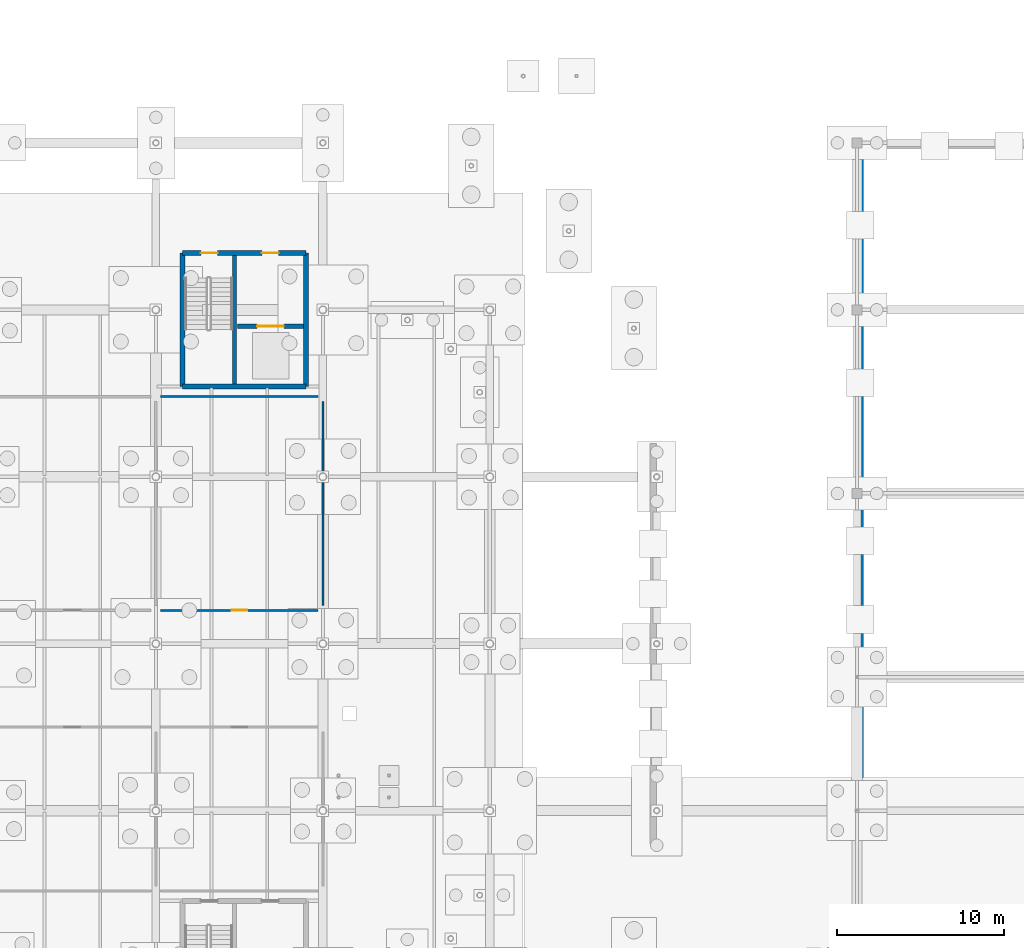
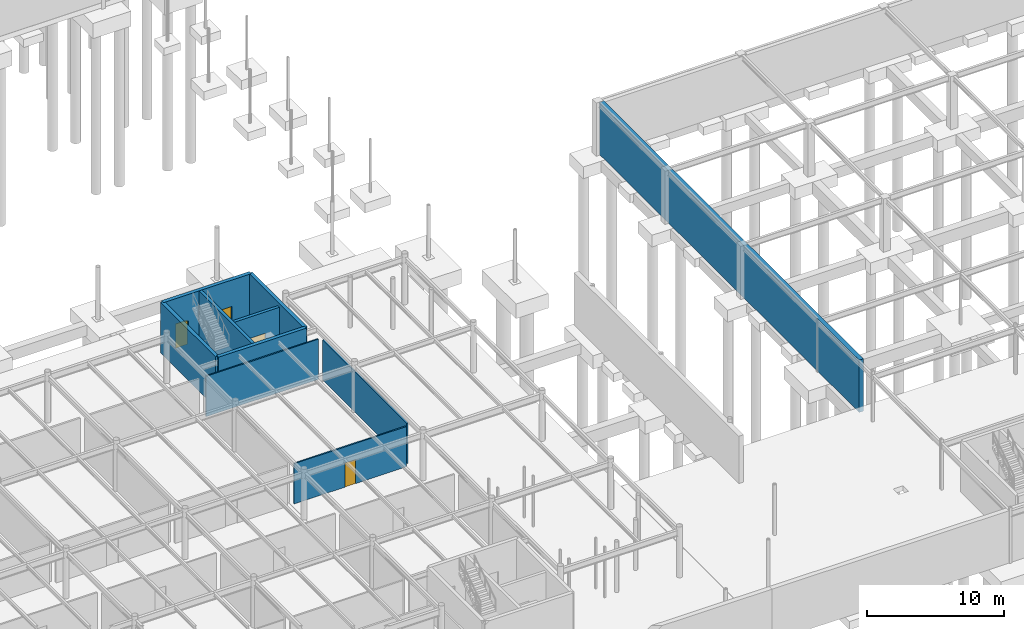
# One storey, part 68 of 75: 10 walls, 4 doors, 4 openings.
"""IFC4 building model written with IfcOpenShell, lengths in metres."""

import ifcopenshell
import ifcopenshell.guid

model = None  # the IFC model being written
_history = None  # IfcOwnerHistory: only IFC2X3 demands one
_inside = {}  # id of a spatial element -> (the spatial element, [elements in it])
_under = {}  # id of a project, library or spatial element -> (it, [spatial elements below it])
_declared = {}  # id of a project -> (the project, [libraries it declares])
_typed = {}  # id of a type object -> (the type object, [elements of that type])
_made_of = {}  # id of a material, layer set ... -> (it, [elements and type objects made of it])


def new_model(schema):
    """Start an empty IFC model of exactly this schema.

    Asked for "IFC4X3", IfcOpenShell would pick the latest addendum, in which some entities
    have other attributes; the version numbers below select the first issue.
    IFC2X3 requires an IfcOwnerHistory on every rooted entity: one is made here for all.
    """
    global model, _history
    if schema == "IFC4X3":
        model = ifcopenshell.file(schema_version=(4, 3, 0, 0))
    else:
        model = ifcopenshell.file(schema=schema)
    _inside.clear()
    _under.clear()
    _declared.clear()
    _typed.clear()
    _made_of.clear()
    _history = None
    if model.schema == "IFC2X3":
        org = make("IfcOrganization", Name="unknown")
        user = make(
            "IfcPersonAndOrganization",
            ThePerson=make("IfcPerson", FamilyName="unknown"),
            TheOrganization=org,
        )
        app = make(
            "IfcApplication",
            ApplicationDeveloper=org,
            Version="unknown",
            ApplicationFullName="unknown",
            ApplicationIdentifier="unknown",
        )
        _history = make(
            "IfcOwnerHistory",
            OwningUser=user,
            OwningApplication=app,
            ChangeAction="ADDED",
            CreationDate=0,
        )
    return model


def make(cls, **values):
    """One entity of the class cls with the attributes given. An attribute that is None is left unset."""
    return model.create_entity(
        cls, **{name: value for name, value in values.items() if value is not None}
    )


def rooted(cls, **values):
    """An entity with a GlobalId (a new one), such as an element, a storey or a relation."""
    return make(cls, GlobalId=ifcopenshell.guid.new(), OwnerHistory=_history, **values)


def si_unit(unit_type, name, prefix=None):
    """IfcSIUnit, for example si_unit("LENGTHUNIT", "METRE", prefix="MILLI")."""
    return make("IfcSIUnit", UnitType=unit_type, Prefix=prefix, Name=name)


def derived_unit(unit_type, elements):
    """IfcDerivedUnit: a product of units, each with its exponent."""
    return make(
        "IfcDerivedUnit",
        Elements=[
            make("IfcDerivedUnitElement", Unit=unit, Exponent=power)
            for unit, power in elements
        ],
        UnitType=unit_type,
    )


def assignment(units):
    """IfcUnitAssignment: the units of a project."""
    return None if units is None else make("IfcUnitAssignment", Units=units)


def point(xyz):
    """IfcCartesianPoint."""
    return None if xyz is None else make("IfcCartesianPoint", Coordinates=xyz)


def direction(xyz):
    """IfcDirection."""
    return None if xyz is None else make("IfcDirection", DirectionRatios=xyz)


def frame(location, z_axis=None, x_axis=None):
    """IfcAxis2Placement3D, a coordinate frame: its origin and axes. An axis left out is left unset."""
    return make(
        "IfcAxis2Placement3D",
        Location=point(location),
        Axis=direction(z_axis),
        RefDirection=direction(x_axis),
    )


def frame_2d(location, x_axis=None):
    """IfcAxis2Placement2D, a coordinate frame in the plane: its origin and x axis."""
    return make(
        "IfcAxis2Placement2D", Location=point(location), RefDirection=direction(x_axis)
    )


def origin():
    """The frame at (0, 0, 0) with its axes left unset."""
    return frame((0.0, 0.0, 0.0))


def place(relative_to, where):
    """IfcLocalPlacement: puts the frame where relative to a parent placement (None: the world)."""
    return make(
        "IfcLocalPlacement", PlacementRelTo=relative_to, RelativePlacement=where
    )


def context(
    kind, dimensions, precision=None, world=None, true_north=None, identifier=None
):
    """IfcGeometricRepresentationContext, for example the 3D "Model" context."""
    return make(
        "IfcGeometricRepresentationContext",
        ContextIdentifier=identifier,
        ContextType=kind,
        CoordinateSpaceDimension=dimensions,
        Precision=precision,
        WorldCoordinateSystem=world,
        TrueNorth=true_north,
    )


def subcontext(parent, identifier, kind, view, scale=None):
    """IfcGeometricRepresentationSubContext, for example "Body" below "Model"."""
    return make(
        "IfcGeometricRepresentationSubContext",
        ContextIdentifier=identifier,
        ContextType=kind,
        ParentContext=parent,
        TargetScale=scale,
        TargetView=view,
    )


def project(units=None, contexts=None):
    """IfcProject with its units and contexts."""
    return rooted(
        "IfcProject",
        Name="project",
        RepresentationContexts=contexts,
        UnitsInContext=assignment(units),
    )


def spatial(cls, under=None, at=None, **own):
    """A site, building, storey or space (cls), placed at a placement, below another one or the project."""
    s = rooted(cls, ObjectPlacement=at, **own)
    if under is not None:
        _under.setdefault(under.id(), (under, []))[1].append(s)
    return s


def profile(cls, at=None, kind="AREA", **sizes):
    """A parametric profile (cls). Its sizes go by their IFC names, for example OverallWidth=200.0."""
    return make(cls, ProfileType=kind, Position=at, **sizes)


def rectangle(**sizes):
    """IfcRectangleProfileDef."""
    return profile("IfcRectangleProfileDef", **sizes)


def extrude(swept, where, along, depth):
    """IfcExtrudedAreaSolid: the profile swept, set in the frame where, extruded along a direction by depth."""
    return make(
        "IfcExtrudedAreaSolid",
        SweptArea=swept,
        Position=where,
        ExtrudedDirection=direction(along),
        Depth=depth,
    )


def shape(context_of_items, identifier, shape_type, items):
    """IfcShapeRepresentation: the items that make up one representation, for example the "Body"."""
    return make(
        "IfcShapeRepresentation",
        ContextOfItems=context_of_items,
        RepresentationIdentifier=identifier,
        RepresentationType=shape_type,
        Items=items,
    )


def material(Name=None, Category=None):
    """IfcMaterial."""
    return make("IfcMaterial", Name=Name, Category=Category)


def layer(
    of_material, thickness, ventilated=None, Name=None, Category=None, Priority=None
):
    """IfcMaterialLayer: one layer of a wall or slab, of a material (None: an air gap)."""
    return make(
        "IfcMaterialLayer",
        Material=of_material,
        LayerThickness=thickness,
        IsVentilated=ventilated,
        Name=Name,
        Category=Category,
        Priority=Priority,
    )


def layer_set(layers, Name=None):
    """IfcMaterialLayerSet."""
    return make("IfcMaterialLayerSet", MaterialLayers=layers, LayerSetName=Name)


def made_of(thing, what):
    """Note that an element or type object is made of a material, layer set ...; save() writes the relation."""
    if what is not None:
        _made_of.setdefault(what.id(), (what, []))[1].append(thing)
    return thing


def type_object(cls, material=None, **own):
    """A type object (cls), such as IfcWallType, which elements share."""
    return made_of(rooted(cls, **own), material)


def element(
    cls,
    number,
    at=None,
    inside=None,
    cuts=None,
    type_object=None,
    material=None,
    context=None,
    identifier="Body",
    shape_type=None,
    held_by="IfcProductDefinitionShape",
    body=None,
    shapes=None,
    **own,
):
    """One element of the class cls, such as IfcWall. Its Tag is "e" and its number.

    at: its placement. inside: the storey or other place that contains it. cuts: it is an
    opening in that element (IfcRelVoidsElement). A single representation is given by context,
    identifier, shape_type and body (its items); several are given by shapes. held_by: the class
    of the entity that holds the representations. save() writes the other relations.
    """
    e = rooted(cls, Tag="e%d" % number, ObjectPlacement=at, **own)
    if body is not None:
        shapes = [shape(context, identifier, shape_type, body)]
    if shapes is not None:
        e.Representation = make(held_by, Representations=shapes)
    if inside is not None:
        _inside.setdefault(inside.id(), (inside, []))[1].append(e)
    if cuts is not None:
        rooted(
            "IfcRelVoidsElement", RelatingBuildingElement=cuts, RelatedOpeningElement=e
        )
    if type_object is not None:
        _typed.setdefault(type_object.id(), (type_object, []))[1].append(e)
    return made_of(e, material)


def fill(opening, filler):
    """IfcRelFillsElement: the door or window that sits in an opening."""
    return rooted(
        "IfcRelFillsElement",
        RelatingOpeningElement=opening,
        RelatedBuildingElement=filler,
    )


def aggregate(whole, parts):
    """IfcRelAggregates: a whole, such as a stair, and the parts it consists of."""
    return rooted("IfcRelAggregates", RelatingObject=whole, RelatedObjects=parts)


def save(model, path):
    """Write the relations noted so far, then the file.

    IfcRelAggregates (storeys below a building ...), IfcRelContainedInSpatialStructure (elements
    in a storey), IfcRelDefinesByType, IfcRelAssociatesMaterial and IfcRelDeclares: one each for
    every whole, place, type object, material and project.
    """
    for whole, parts in _under.values():
        aggregate(whole, parts)
    for where, things in _inside.values():
        rooted(
            "IfcRelContainedInSpatialStructure",
            RelatedElements=things,
            RelatingStructure=where,
        )
    for kind, things in _typed.values():
        rooted("IfcRelDefinesByType", RelatedObjects=things, RelatingType=kind)
    for what, things in _made_of.values():
        rooted("IfcRelAssociatesMaterial", RelatedObjects=things, RelatingMaterial=what)
    for by, libraries in _declared.values():
        rooted("IfcRelDeclares", RelatingContext=by, RelatedDefinitions=libraries)
    model.write(path)


model = new_model("IFC4")

# Units and contexts
model_context = context("Model", 3, precision=1e-05, world=origin(), true_north=direction((0.0, 1.0)))
body_context = subcontext(model_context, "Body", "Model", "MODEL_VIEW")
ifc_project = project(units=[si_unit("LENGTHUNIT", "METRE"), si_unit("AREAUNIT", "SQUARE_METRE"), si_unit("VOLUMEUNIT", "CUBIC_METRE"), si_unit("PLANEANGLEUNIT", "RADIAN"), si_unit("MASSUNIT", "GRAM", prefix="KILO"), derived_unit("THERMALTRANSMITTANCEUNIT", [(si_unit("POWERUNIT", "WATT"), 1), (si_unit("LENGTHUNIT", "METRE"), -2), (si_unit("THERMODYNAMICTEMPERATUREUNIT", "KELVIN"), -1)])], contexts=[model_context])

# Site, building, storey
site_placement = place(None, origin())
site = spatial("IfcSite", under=ifc_project, at=site_placement, CompositionType="ELEMENT")
building_placement = place(site_placement, origin())
building = spatial("IfcBuilding", under=site, at=building_placement, Name="Cinnabar Yard Market Hall", CompositionType="ELEMENT")
storey_placement = place(building_placement, frame((0.0, 0.0, -4.5)))
storey = spatial("IfcBuildingStorey", under=building, at=storey_placement, Name="B1", CompositionType="ELEMENT", Elevation=-4.5)

# Wall, opening, door
ifc_material_1 = material(Name="Acoustic steel-stud plasterboard", Category="steel")
ifc_layer_1 = layer(ifc_material_1, 0.1201171875)
ifc_layer_set_1 = layer_set([ifc_layer_1], Name="Acoustic steel-stud plasterboard")
wall_type_1 = type_object("IfcWallType", Name="WL-PT120", PredefinedType="PARTITIONING", material=ifc_layer_set_1)
wall_1_placement = place(storey_placement, frame((136.280029296875, 46.0, 0.0), z_axis=(0.0, 0.0, 1.0), x_axis=(1.0, 0.0, 0.0)))
wall_1 = element("IfcWall", 1, at=wall_1_placement, inside=storey, type_object=wall_type_1, Name="Partition Dry Store and Crate Prep Room B16 south", PredefinedType="PARTITIONING", context=body_context, shape_type="SweptSolid", body=[
    extrude(rectangle(XDim=9.43994140625, YDim=0.1201171875, at=frame_2d((4.719970703125, 0.0), x_axis=(1.0, 0.0))), origin(), (0.0, 0.0, 1.0), 3.580078125),
])
opening_1_placement = place(wall_1_placement, frame((4.260009765625, 0.0, 0.0)))
opening_1 = element("IfcOpeningElement", 2, at=opening_1_placement, cuts=wall_1, Name="Opening ID-101", PredefinedType="OPENING", context=body_context, shape_type="SweptSolid", body=[
    extrude(rectangle(XDim=0.919921875, YDim=2.14990234375, at=frame_2d((0.4599609375, 1.074951171875), x_axis=(1.0, 0.0))), frame((0.0, 0.070068359375, 0.0), z_axis=(0.0, -1.0, 0.0), x_axis=(1.0, 0.0, 0.0)), (0.0, 0.0, 1.0), 0.14013671875),
])
ifc_material_2 = material(Name="Solid-core spotted gum timber", Category="wood")
door_type_1 = type_object("IfcDoorType", Name="DR-D07", OperationType="NOTDEFINED", PredefinedType="DOOR", material=ifc_material_2)
door_1_placement = place(opening_1_placement, origin())
door_1 = element("IfcDoor", 3, at=door_1_placement, inside=storey, type_object=door_type_1, Name="Interior Door ID-101", OperationType="SINGLE_SWING_RIGHT", OverallHeight=2.14990234375, OverallWidth=0.919921875, PredefinedType="DOOR", context=body_context, shape_type="SweptSolid", body=[
    extrude(rectangle(XDim=0.919921875, YDim=2.14990234375, at=frame_2d((0.4599609375, 1.074951171875), x_axis=(1.0, 0.0))), frame((0.0, 0.02490234375, 0.0), z_axis=(0.0, -1.0, 0.0), x_axis=(1.0, 0.0, 0.0)), (0.0, 0.0, 1.0), 0.050048828125),
])
fill(opening_1, door_1)

# Walls
wall_2_placement = place(storey_placement, frame((146.0, 46.280029296875, 0.0), z_axis=(0.0, 0.0, 1.0), x_axis=(0.0, 1.0, 0.0)))
element("IfcWall", 4, at=wall_2_placement, inside=storey, type_object=wall_type_1, Name="Partition Dry Store and Crate Prep Room B16 east", PredefinedType="PARTITIONING", context=body_context, shape_type="SweptSolid", body=[
    extrude(rectangle(XDim=12.239990234375, YDim=0.1201171875, at=frame_2d((6.1201171875, 0.0), x_axis=(1.0, 0.0))), origin(), (0.0, 0.0, 1.0), 3.580078125),
])
wall_3_placement = place(storey_placement, frame((145.719970703125, 58.800048828125, 0.0), z_axis=(0.0, 0.0, 1.0), x_axis=(-1.0, 0.0, 0.0)))
element("IfcWall", 5, at=wall_3_placement, inside=storey, type_object=wall_type_1, Name="Partition Dry Store and Crate Prep Room B16 north", PredefinedType="PARTITIONING", context=body_context, shape_type="SweptSolid", body=[
    extrude(rectangle(XDim=9.43994140625, YDim=0.1201171875, at=frame_2d((4.719970703125, 0.0), x_axis=(1.0, 0.0))), origin(), (0.0, 0.0, 1.0), 3.580078125),
])
ifc_material_3 = material(Name="Concrete 40 MPa", Category="concrete")
ifc_layer_2 = layer(ifc_material_3, 0.300048828125)
ifc_layer_set_2 = layer_set([ifc_layer_2], Name="Concrete 40 MPa")
wall_type_2 = type_object("IfcWallType", Name="WL-W-CORE", PredefinedType="SHEAR", material=ifc_layer_set_2)
for number, where, z_axis, x_axis, name in (
    (6, (137.60009765625, 67.39990234375, 0.0), (0.0, 0.0, 1.0), (0.0, -1.0, 0.0), "Core C7 West Shear Wall B1"),
    (7, (145.0, 59.39990234375, 0.0), (0.0, 0.0, 1.0), (0.0, 1.0, 0.0), "Core C7 East Shear Wall B1"),
):
    element("IfcWall", number, at=place(storey_placement, frame(where, z_axis=z_axis, x_axis=x_axis)), inside=storey, type_object=wall_type_2, Name=name, PredefinedType="SHEAR", context=body_context, shape_type="SweptSolid", body=[
        extrude(rectangle(XDim=8.0, YDim=0.300048828125, at=frame_2d((4.0, 0.0), x_axis=(1.0, 0.0))), origin(), (0.0, 0.0, 1.0), 4.5),
    ])
wall_4_placement = place(storey_placement, frame((137.60009765625, 59.39990234375, 0.0), z_axis=(0.0, 0.0, 1.0), x_axis=(1.0, 0.0, 0.0)))
element("IfcWall", 8, at=wall_4_placement, inside=storey, type_object=wall_type_2, Name="Core C7 South Shear Wall B1", PredefinedType="SHEAR", context=body_context, shape_type="SweptSolid", body=[
    extrude(rectangle(XDim=7.39990234375, YDim=0.300048828125, at=frame_2d((3.699951171875, 0.0), x_axis=(1.0, 0.0))), origin(), (0.0, 0.0, 1.0), 4.5),
])

# Wall, openings, doors
wall_5_placement = place(storey_placement, frame((145.0, 67.39990234375, 0.0), z_axis=(0.0, 0.0, 1.0), x_axis=(-1.0, 0.0, 0.0)))
wall_5 = element("IfcWall", 9, at=wall_5_placement, inside=storey, type_object=wall_type_2, Name="Core C7 North Shear Wall B1", PredefinedType="SHEAR", context=body_context, shape_type="SweptSolid", body=[
    extrude(rectangle(XDim=7.39990234375, YDim=0.300048828125, at=frame_2d((3.699951171875, 0.0), x_axis=(1.0, 0.0))), origin(), (0.0, 0.0, 1.0), 4.5),
])
opening_2_placement = place(wall_5_placement, frame((1.64990234375, 0.0, 0.0)))
opening_2 = element("IfcOpeningElement", 10, at=opening_2_placement, cuts=wall_5, Name="Opening CD-053", PredefinedType="OPENING", context=body_context, shape_type="SweptSolid", body=[
    extrude(rectangle(XDim=1.0, YDim=2.14990234375, at=frame_2d((0.5, 1.074951171875), x_axis=(1.0, 0.0))), frame((0.0, 0.159912109375, 0.0), z_axis=(0.0, -1.0, 0.0), x_axis=(1.0, 0.0, 0.0)), (0.0, 0.0, 1.0), 0.320068359375),
])
opening_3_placement = place(wall_5_placement, frame((5.300048828125, 0.0, 0.0)))
opening_3 = element("IfcOpeningElement", 11, at=opening_3_placement, cuts=wall_5, Name="Opening CD-054", PredefinedType="OPENING", context=body_context, shape_type="SweptSolid", body=[
    extrude(rectangle(XDim=1.0, YDim=2.14990234375, at=frame_2d((0.5, 1.074951171875), x_axis=(1.0, 0.0))), frame((0.0, 0.159912109375, 0.0), z_axis=(0.0, -1.0, 0.0), x_axis=(1.0, 0.0, 0.0)), (0.0, 0.0, 1.0), 0.320068359375),
])
door_type_2 = type_object("IfcDoorType", Name="DR-D05", OperationType="NOTDEFINED", PredefinedType="DOOR", material=ifc_material_2)
door_2_placement = place(opening_2_placement, origin())
door_2 = element("IfcDoor", 12, at=door_2_placement, inside=storey, type_object=door_type_2, Name="Core Door CD-053", OperationType="SINGLE_SWING_RIGHT", OverallHeight=2.14990234375, OverallWidth=1.0, PredefinedType="DOOR", context=body_context, shape_type="SweptSolid", body=[
    extrude(rectangle(XDim=1.0, YDim=2.14990234375, at=frame_2d((0.5, 1.074951171875), x_axis=(1.0, 0.0))), frame((0.0, 0.02490234375, 0.0), z_axis=(0.0, -1.0, 0.0), x_axis=(1.0, 0.0, 0.0)), (0.0, 0.0, 1.0), 0.050048828125),
])
fill(opening_2, door_2)
door_3_placement = place(opening_3_placement, origin())
door_3 = element("IfcDoor", 13, at=door_3_placement, inside=storey, type_object=door_type_2, Name="Core Door CD-054", OperationType="SINGLE_SWING_LEFT", OverallHeight=2.14990234375, OverallWidth=1.0, PredefinedType="DOOR", context=body_context, shape_type="SweptSolid", body=[
    extrude(rectangle(XDim=1.0, YDim=2.14990234375, at=frame_2d((0.5, 1.074951171875), x_axis=(1.0, 0.0))), frame((0.0, 0.02490234375, 0.0), z_axis=(0.0, -1.0, 0.0), x_axis=(1.0, 0.0, 0.0)), (0.0, 0.0, 1.0), 0.050048828125),
])
fill(opening_3, door_3)

# Walls
ifc_layer_3 = layer(ifc_material_3, 0.360107421875)
ifc_layer_set_3 = layer_set([ifc_layer_3], Name="Concrete 40 MPa")
wall_type_3 = type_object("IfcWallType", Name="WL-W-RET2E", PredefinedType="USERDEFINED", material=ifc_layer_set_3)
wall_6_placement = place(storey_placement, frame((178.199951171875, 73.800048828125, -0.449951171875), z_axis=(0.0, 0.0, 1.0), x_axis=(0.0, -1.0, 0.0)))
element("IfcWall", 14, at=wall_6_placement, inside=storey, type_object=wall_type_3, Name="Retaining Plinth Wall B1-RET-V4W", ObjectType="RETAINING WALL", PredefinedType="USERDEFINED", context=body_context, shape_type="SweptSolid", body=[
    extrude(rectangle(XDim=37.800048828125, YDim=0.360107421875, at=frame_2d((18.89990234375, 0.0), x_axis=(1.0, 0.0))), origin(), (0.0, 0.0, 1.0), 4.64990234375),
])
ifc_layer_4 = layer(ifc_material_3, 0.25)
ifc_layer_set_4 = layer_set([ifc_layer_4], Name="Concrete 40 MPa")
wall_type_4 = type_object("IfcWallType", Name="WL-W-SHAFT", PredefinedType="SHEAR", material=ifc_layer_set_4)
wall_7_placement = place(storey_placement, frame((140.715087890625, 59.550048828125, 0.0), z_axis=(0.0, 0.0, 1.0), x_axis=(0.0, 1.0, 0.0)))
element("IfcWall", 15, at=wall_7_placement, inside=storey, type_object=wall_type_4, Name="Core C7 Shaft Divider B1", PredefinedType="SHEAR", context=body_context, shape_type="SweptSolid", body=[
    extrude(rectangle(XDim=7.699951171875, YDim=0.25, at=frame_2d((3.85009765625, 0.0), x_axis=(1.0, 0.0))), origin(), (0.0, 0.0, 1.0), 4.5),
])

# Wall, opening, door
wall_8_placement = place(storey_placement, frame((140.8798828125, 63.02001953125, 0.0), z_axis=(0.0, 0.0, 1.0), x_axis=(1.0, 0.0, 0.0)))
wall_8 = element("IfcWall", 16, at=wall_8_placement, inside=storey, type_object=wall_type_4, Name="Core C7 Lift Front Wall B1", PredefinedType="SHEAR", context=body_context, shape_type="SweptSolid", body=[
    extrude(rectangle(XDim=3.97021484375, YDim=0.25, at=frame_2d((1.985107421875, 0.0), x_axis=(1.0, 0.0))), origin(), (0.0, 0.0, 1.0), 4.199951171875),
])
opening_4_placement = place(wall_8_placement, frame((1.18505859375, 0.0, 0.0)))
opening_4 = element("IfcOpeningElement", 17, at=opening_4_placement, cuts=wall_8, Name="Opening LD-LG-01-B1", PredefinedType="OPENING", context=body_context, shape_type="SweptSolid", body=[
    extrude(rectangle(XDim=1.60009765625, YDim=2.300048828125, at=frame_2d((0.800048828125, 1.14990234375), x_axis=(1.0, 0.0))), frame((0.0, 0.135009765625, 0.0), z_axis=(0.0, -1.0, 0.0), x_axis=(1.0, 0.0, 0.0)), (0.0, 0.0, 1.0), 0.27001953125),
])
ifc_material_4 = material(Name="Heavy-duty stainless steel goods landing door", Category="steel")
door_type_3 = type_object("IfcDoorType", Name="DR-LD02", OperationType="NOTDEFINED", PredefinedType="DOOR", material=ifc_material_4)
door_4_placement = place(opening_4_placement, origin())
door_4 = element("IfcDoor", 18, at=door_4_placement, inside=storey, type_object=door_type_3, Name="Lift Landing Door LD-LG-01-B1", OperationType="SLIDING_TO_RIGHT", OverallHeight=2.300048828125, OverallWidth=1.60009765625, PredefinedType="DOOR", context=body_context, shape_type="SweptSolid", body=[
    extrude(rectangle(XDim=1.60009765625, YDim=2.300048828125, at=frame_2d((0.800048828125, 1.14990234375), x_axis=(1.0, 0.0))), frame((0.0, 0.02490234375, 0.0), z_axis=(0.0, -1.0, 0.0), x_axis=(1.0, 0.0, 0.0)), (0.0, 0.0, 1.0), 0.050048828125),
])
fill(opening_4, door_4)

save(model, "model.ifc")
